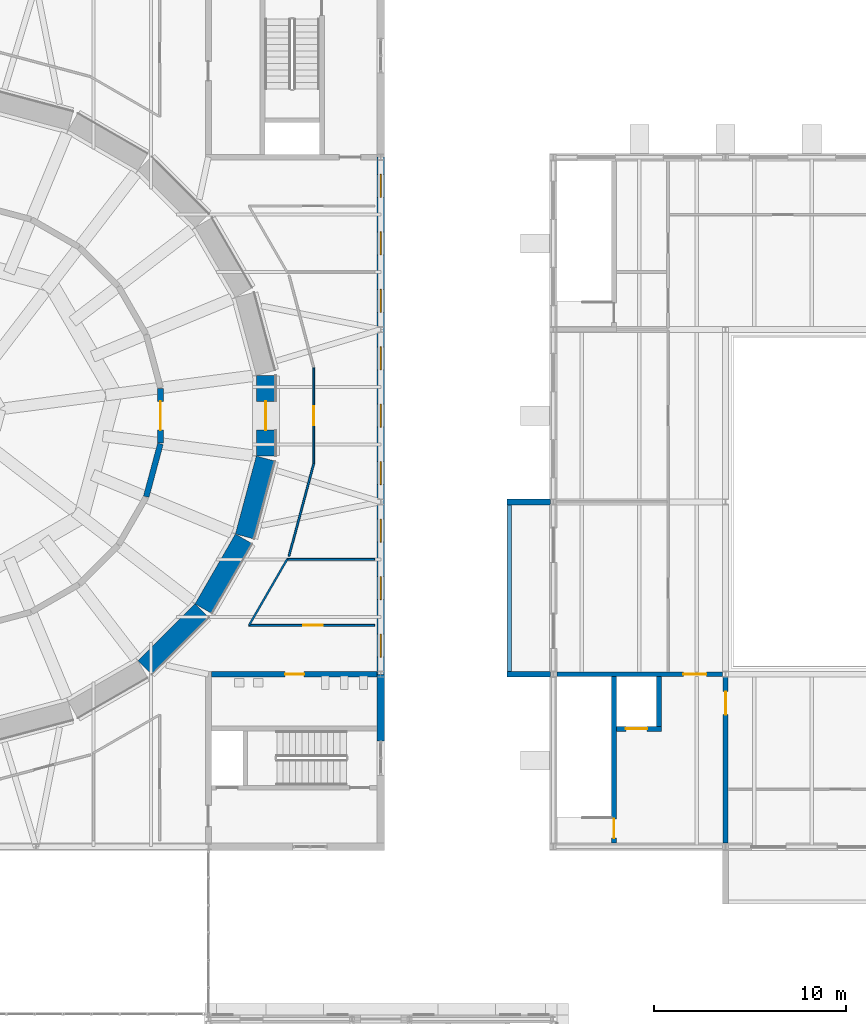
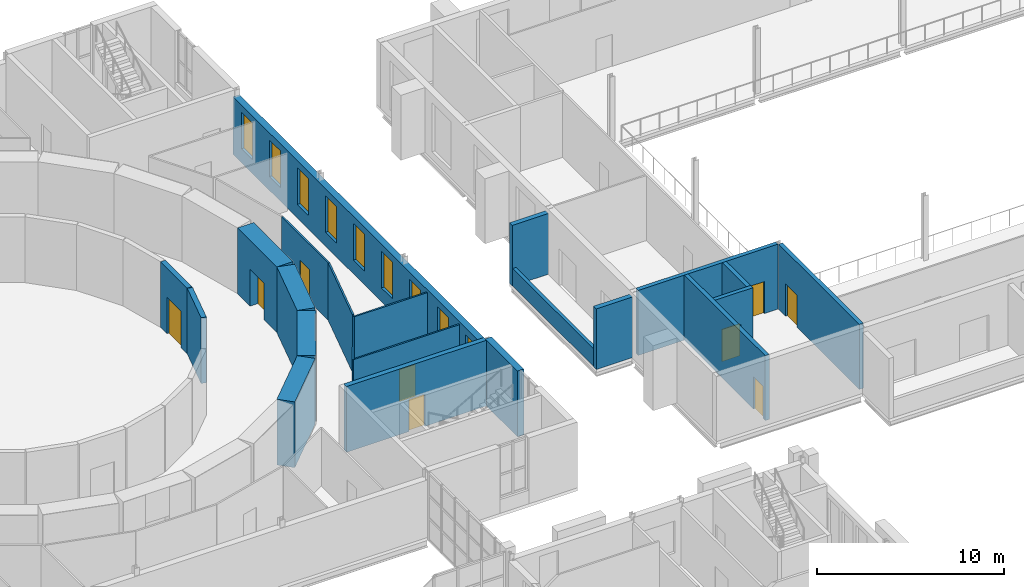
# One storey, part 86 of 131: 22 walls, 9 doors, 9 windows, 18 openings.
"""IFC4 building model written with IfcOpenShell, lengths in metres."""

from ifc_helpers import new_model, si_unit, direction, frame, frame_2d, origin, place, context, subcontext, project, spatial, rectangle, extrude, material, layer, layer_set, type_object, element, fill, save


model = new_model("IFC4")

# Units and contexts
model_context = context("Model", 3, precision=1e-05, world=origin(), true_north=direction((0.0, 1.0)))
body_context = subcontext(model_context, "Body", "Model", "MODEL_VIEW")
ifc_project = project(units=[si_unit("LENGTHUNIT", "METRE"), si_unit("AREAUNIT", "SQUARE_METRE"), si_unit("VOLUMEUNIT", "CUBIC_METRE"), si_unit("PLANEANGLEUNIT", "RADIAN"), si_unit("MASSUNIT", "GRAM", prefix="KILO")], contexts=[model_context])

# Site, building, storey
site_placement = place(None, origin())
site = spatial("IfcSite", under=ifc_project, at=site_placement, CompositionType="ELEMENT")
building_placement = place(site_placement, origin())
building = spatial("IfcBuilding", under=site, at=building_placement, Name="Golden Quay Civic Hall", CompositionType="ELEMENT")
storey_placement = place(building_placement, frame((0.0, 0.0, 9.89990234375)))
storey = spatial("IfcBuildingStorey", under=building, at=storey_placement, Name="L02", CompositionType="ELEMENT", Elevation=9.89990234375)

# Walls
ifc_material_1 = material(Name="Brick, dark clay facing", Category="masonry")
ifc_layer_1 = layer(ifc_material_1, 0.199951171875)
ifc_layer_set_1 = layer_set([ifc_layer_1], Name="Brick balustrade wall 200")
wall_type_1 = type_object("IfcWallType", Name="Brick balustrade wall 200", PredefinedType="STANDARD", material=ifc_layer_set_1)
wall_1_placement = place(storey_placement, frame((114.719970703125, 72.14990234375, 0.0), z_axis=(0.0, 0.0, 1.0), x_axis=(0.0, 1.0, 0.0)))
element("IfcWall", 1, at=wall_1_placement, inside=storey, type_object=wall_type_1, Name="Brick balustrade wall 200 L02 12", PredefinedType="STANDARD", context=body_context, shape_type="SweptSolid", body=[
    extrude(rectangle(XDim=8.7001953125, YDim=0.199951171875, at=frame_2d((4.35009765625, 0.0))), origin(), (0.0, 0.0, 1.0), 1.150146484375),
])
ifc_material_2 = material(Name="Brick, dark clay facing", Category="masonry")
ifc_layer_2 = layer(ifc_material_2, 0.300048828125)
ifc_layer_set_2 = layer_set([ifc_layer_2], Name="Brick loggia wall 300")
wall_type_2 = type_object("IfcWallType", Name="Brick loggia wall 300", PredefinedType="STANDARD", material=ifc_layer_set_2)
for number, where, z_axis, x_axis, name in (
    (2, (116.85009765625, 72.0, 0.0), (0.0, 0.0, 1.0), (-1.0, 0.0, 0.0), "Brick loggia wall 300 L02 20"),
    (3, (116.85009765625, 81.0, 0.0), (0.0, 0.0, 1.0), (-1.0, 0.0, 0.0), "Brick loggia wall 300 L02 21"),
):
    element("IfcWall", number, at=place(storey_placement, frame(where, z_axis=z_axis, x_axis=x_axis)), inside=storey, type_object=wall_type_2, Name=name, PredefinedType="STANDARD", context=body_context, shape_type="SweptSolid", body=[
        extrude(rectangle(XDim=2.25, YDim=0.300048828125, at=frame_2d((1.125, 0.0))), origin(), (0.0, 0.0, 1.0), 3.97021484375),
    ])

# Wall, opening, door
ifc_material_3 = material(Name="Concrete C40/50", Category="concrete")
ifc_layer_3 = layer(ifc_material_3, 0.25)
ifc_layer_set_3 = layer_set([ifc_layer_3], Name="Concrete core wall 250, Concrete C40/50")
wall_type_3 = type_object("IfcWallType", Name="Concrete core wall 250", PredefinedType="SHEAR", material=ifc_layer_set_3)
wall_2_placement = place(storey_placement, frame((120.175048828125, 63.199951171875, 0.0), z_axis=(0.0, 0.0, 1.0), x_axis=(0.0, 1.0, 0.0)))
wall_2 = element("IfcWall", 4, at=wall_2_placement, inside=storey, type_object=wall_type_3, Name="L02 core wall W stair east", PredefinedType="SHEAR", context=body_context, shape_type="SweptSolid", body=[
    extrude(rectangle(XDim=8.675048828125, YDim=0.25, at=frame_2d((4.33740234375, 0.0))), origin(), (0.0, 0.0, 1.0), 4.25),
])
opening_1_placement = place(wall_2_placement, frame((0.25, 0.0, 0.0)))
opening_1 = element("IfcOpeningElement", 5, at=opening_1_placement, cuts=wall_2, Name="Opening L02-D206", PredefinedType="OPENING", context=body_context, shape_type="SweptSolid", body=[
    extrude(rectangle(XDim=1.0, YDim=2.10009765625, at=frame_2d((0.5, 1.050048828125))), frame((0.0, 0.135009765625, 0.0), z_axis=(0.0, -1.0, 0.0), x_axis=(1.0, 0.0, 0.0)), (0.0, 0.0, 1.0), 0.27001953125),
])
ifc_material_4 = material(Name="Steel", Category="steel")
door_type_1 = type_object("IfcDoorType", Name="Steel fire door FD60 1000 x 2100", OperationType="SINGLE_SWING_LEFT", PredefinedType="DOOR", material=ifc_material_4)
door_1_placement = place(opening_1_placement, frame((1.0, 0.0, 0.0), z_axis=(0.0, 0.0, 1.0), x_axis=(-1.0, 0.0, 0.0)))
door_1 = element("IfcDoor", 6, at=door_1_placement, inside=storey, type_object=door_type_1, Name="Stair door LB-W", OperationType="SINGLE_SWING_RIGHT", OverallHeight=2.10009765625, OverallWidth=1.0, PredefinedType="DOOR", context=body_context, shape_type="SweptSolid", body=[
    extrude(rectangle(XDim=1.0, YDim=2.10009765625, at=frame_2d((0.5, 1.050048828125))), frame((0.0, 0.025146484375, 0.0), z_axis=(0.0, -1.0, 0.0), x_axis=(1.0, 0.0, 0.0)), (0.0, 0.0, 1.0), 0.050048828125),
])
fill(opening_1, door_1)

wall_3_placement = place(storey_placement, frame((126.0, 63.199951171875, 0.0), z_axis=(0.0, 0.0, 1.0), x_axis=(0.0, 1.0, 0.0)))
wall_3 = element("IfcWall", 7, at=wall_3_placement, inside=storey, type_object=wall_type_3, Name="L02 core wall W east boundary", PredefinedType="SHEAR", context=body_context, shape_type="SweptSolid", body=[
    extrude(rectangle(XDim=8.650146484375, YDim=0.25, at=frame_2d((4.3251953125, 0.0))), origin(), (0.0, 0.0, 1.0), 4.25),
])
opening_2_placement = place(wall_3_placement, frame((6.699951171875, 0.0, 0.0)))
opening_2 = element("IfcOpeningElement", 8, at=opening_2_placement, cuts=wall_3, Name="Opening L02-D209", PredefinedType="OPENING", context=body_context, shape_type="SweptSolid", body=[
    extrude(rectangle(XDim=1.199951171875, YDim=2.10009765625, at=frame_2d((0.60009765625, 1.050048828125))), frame((0.0, 0.135009765625, 0.0), z_axis=(0.0, -1.0, 0.0), x_axis=(1.0, 0.0, 0.0)), (0.0, 0.0, 1.0), 0.27001953125),
])
ifc_material_5 = material(Name="Steel", Category="steel")
door_type_2 = type_object("IfcDoorType", Name="Steel fire door FD60 1200 x 2100", OperationType="SINGLE_SWING_LEFT", PredefinedType="DOOR", material=ifc_material_5)
door_2_placement = place(opening_2_placement, frame((1.199951171875, 0.0, 0.0), z_axis=(0.0, 0.0, 1.0), x_axis=(-1.0, 0.0, 0.0)))
door_2 = element("IfcDoor", 9, at=door_2_placement, inside=storey, type_object=door_type_2, Name="Lobby door LB-W", OperationType="SINGLE_SWING_RIGHT", OverallHeight=2.10009765625, OverallWidth=1.199951171875, PredefinedType="DOOR", context=body_context, shape_type="SweptSolid", body=[
    extrude(rectangle(XDim=1.199951171875, YDim=2.10009765625, at=frame_2d((0.599853515625, 1.050048828125))), frame((0.0, 0.025146484375, 0.0), z_axis=(0.0, -1.0, 0.0), x_axis=(1.0, 0.0, 0.0)), (0.0, 0.0, 1.0), 0.050048828125),
])
fill(opening_2, door_2)

wall_4_placement = place(storey_placement, frame((117.199951171875, 72.0, 0.0), z_axis=(0.0, 0.0, 1.0), x_axis=(1.0, 0.0, 0.0)))
wall_4 = element("IfcWall", 10, at=wall_4_placement, inside=storey, type_object=wall_type_3, Name="L02 core wall W north boundary", PredefinedType="SHEAR", context=body_context, shape_type="SweptSolid", body=[
    extrude(rectangle(XDim=8.650146484375, YDim=0.25, at=frame_2d((4.3251953125, 0.0))), origin(), (0.0, 0.0, 1.0), 4.25),
])
opening_3_placement = place(wall_4_placement, frame((6.60009765625, 0.0, 0.0)))
opening_3 = element("IfcOpeningElement", 11, at=opening_3_placement, cuts=wall_4, Name="Opening L02-D208", PredefinedType="OPENING", context=body_context, shape_type="SweptSolid", body=[
    extrude(rectangle(XDim=1.199951171875, YDim=2.10009765625, at=frame_2d((0.60009765625, 1.050048828125))), frame((0.0, 0.135009765625, 0.0), z_axis=(0.0, -1.0, 0.0), x_axis=(1.0, 0.0, 0.0)), (0.0, 0.0, 1.0), 0.27001953125),
])
door_3_placement = place(opening_3_placement, origin())
door_3 = element("IfcDoor", 12, at=door_3_placement, inside=storey, type_object=door_type_2, Name="Lobby door LB-W", OperationType="SINGLE_SWING_LEFT", OverallHeight=2.10009765625, OverallWidth=1.199951171875, PredefinedType="DOOR", context=body_context, shape_type="SweptSolid", body=[
    extrude(rectangle(XDim=1.199951171875, YDim=2.10009765625, at=frame_2d((0.60009765625, 1.050048828125))), frame((0.0, 0.02490234375, 0.0), z_axis=(0.0, -1.0, 0.0), x_axis=(1.0, 0.0, 0.0)), (0.0, 0.0, 1.0), 0.050048828125),
])
fill(opening_3, door_3)

wall_5_placement = place(storey_placement, frame((120.300048828125, 69.14990234375, 0.0), z_axis=(0.0, 0.0, 1.0), x_axis=(1.0, 0.0, 0.0)))
wall_5 = element("IfcWall", 13, at=wall_5_placement, inside=storey, type_object=wall_type_3, Name="L02 core wall W lift south", PredefinedType="SHEAR", context=body_context, shape_type="SweptSolid", body=[
    extrude(rectangle(XDim=2.349853515625, YDim=0.25, at=frame_2d((1.1748046875, 0.0))), origin(), (0.0, 0.0, 1.0), 4.25),
])
opening_4_placement = place(wall_5_placement, frame((0.5, 0.0, 0.0)))
opening_4 = element("IfcOpeningElement", 14, at=opening_4_placement, cuts=wall_5, Name="Opening L02-D207", PredefinedType="OPENING", context=body_context, shape_type="SweptSolid", body=[
    extrude(rectangle(XDim=1.10009765625, YDim=2.10009765625, at=frame_2d((0.550048828125, 1.050048828125))), frame((0.0, 0.135009765625, 0.0), z_axis=(0.0, -1.0, 0.0), x_axis=(1.0, 0.0, 0.0)), (0.0, 0.0, 1.0), 0.27001953125),
])
ifc_material_6 = material(Name="Steel", Category="steel")
door_type_3 = type_object("IfcDoorType", Name="Lift landing door 1100 x 2100", OperationType="SLIDING_TO_LEFT", PredefinedType="DOOR", material=ifc_material_6)
door_4_placement = place(opening_4_placement, origin())
door_4 = element("IfcDoor", 15, at=door_4_placement, inside=storey, type_object=door_type_3, Name="Lift landing door", OperationType="SLIDING_TO_LEFT", OverallHeight=2.10009765625, OverallWidth=1.10009765625, PredefinedType="DOOR", context=body_context, shape_type="SweptSolid", body=[
    extrude(rectangle(XDim=1.10009765625, YDim=2.10009765625, at=frame_2d((0.550048828125, 1.050048828125))), frame((0.0, 0.02490234375, 0.0), z_axis=(0.0, -1.0, 0.0), x_axis=(1.0, 0.0, 0.0)), (0.0, 0.0, 1.0), 0.050048828125),
])
fill(opening_4, door_4)

# Walls
wall_6_placement = place(storey_placement, frame((122.52490234375, 69.27490234375, 0.0), z_axis=(0.0, 0.0, 1.0), x_axis=(0.0, 1.0, 0.0)))
element("IfcWall", 16, at=wall_6_placement, inside=storey, type_object=wall_type_3, Name="L02 core wall W lift east", PredefinedType="SHEAR", context=body_context, shape_type="SweptSolid", body=[
    extrude(rectangle(XDim=2.60009765625, YDim=0.25, at=frame_2d((1.300048828125, 0.0))), origin(), (0.0, 0.0, 1.0), 4.25),
])
ifc_material_7 = material(Name="Plasterboard on steel studs", Category="steel")
ifc_layer_4 = layer(ifc_material_7, 0.10009765625)
ifc_layer_set_4 = layer_set([ifc_layer_4], Name="Partition 100 stud")
wall_type_4 = type_object("IfcWallType", Name="Partition 100 stud", PredefinedType="PARTITIONING", material=ifc_layer_set_4)
wall_7_placement = place(storey_placement, frame((107.679931640625, 78.0, 0.0), z_axis=(0.0, 0.0, 1.0), x_axis=(-1.0, 0.0, 0.0)))
element("IfcWall", 17, at=wall_7_placement, inside=storey, type_object=wall_type_4, Name="Partition 28", PredefinedType="PARTITIONING", context=body_context, shape_type="SweptSolid", body=[
    extrude(rectangle(XDim=4.57080078125, YDim=0.10009765625, at=frame_2d((2.285400390625, 0.0))), origin(), (0.0, 0.0, 1.0), 3.760009765625),
])
ifc_material_8 = material(Name="Gypsum board on steel stud", Category="steel")
ifc_layer_5 = layer(ifc_material_8, 0.10009765625)
ifc_layer_set_5 = layer_set([ifc_layer_5], Name="Partition 100 stud fire EI 60")
wall_type_5 = type_object("IfcWallType", Name="Partition 100 stud fire EI 60", PredefinedType="PARTITIONING", material=ifc_layer_set_5)
wall_8_placement = place(storey_placement, frame((103.12060546875, 78.02001953125, 0.0), z_axis=(0.0, 0.0, 1.0), x_axis=(-0.500005512359, -0.866022221199, 0.0)))
element("IfcWall", 18, at=wall_8_placement, inside=storey, type_object=wall_type_5, Name="Partition 29", PredefinedType="PARTITIONING", context=body_context, shape_type="SweptSolid", body=[
    extrude(rectangle(XDim=4.0068359375, YDim=0.10009765625, at=frame_2d((2.00341796875, 0.0))), origin(), (0.0, 0.0, 1.0), 3.760009765625),
])

# Wall, opening, door
wall_9_placement = place(storey_placement, frame((101.1171875, 74.550048828125, 0.0), z_axis=(0.0, 0.0, 1.0), x_axis=(1.0, 0.0, 0.0)))
wall_9 = element("IfcWall", 19, at=wall_9_placement, inside=storey, type_object=wall_type_5, Name="Partition 30", PredefinedType="PARTITIONING", context=body_context, shape_type="SweptSolid", body=[
    extrude(rectangle(XDim=6.562744140625, YDim=0.10009765625, at=frame_2d((3.28125, 0.0))), origin(), (0.0, 0.0, 1.0), 3.760009765625),
])
opening_5_placement = place(wall_9_placement, frame((2.84130859375, 0.0, 0.0)))
opening_5 = element("IfcOpeningElement", 20, at=opening_5_placement, cuts=wall_9, Name="Opening L02-D189", PredefinedType="OPENING", context=body_context, shape_type="SweptSolid", body=[
    extrude(rectangle(XDim=1.0, YDim=2.10009765625, at=frame_2d((0.5, 1.050048828125))), frame((0.0, 0.06005859375, 0.0), z_axis=(0.0, -1.0, 0.0), x_axis=(1.0, 0.0, 0.0)), (0.0, 0.0, 1.0), 0.1201171875),
])
ifc_material_9 = material(Name="Timber", Category="wood")
door_type_4 = type_object("IfcDoorType", Name="Timber fire door FD30S 1000 x 2100", OperationType="SINGLE_SWING_LEFT", PredefinedType="DOOR", material=ifc_material_9)
door_5_placement = place(opening_5_placement, origin())
door_5 = element("IfcDoor", 21, at=door_5_placement, inside=storey, type_object=door_type_4, Name="Door Press Gallery Office", OperationType="SINGLE_SWING_LEFT", OverallHeight=2.10009765625, OverallWidth=1.0, PredefinedType="DOOR", context=body_context, shape_type="SweptSolid", body=[
    extrude(rectangle(XDim=1.0, YDim=2.10009765625, at=frame_2d((0.5, 1.050048828125))), frame((0.0, 0.02490234375, 0.0), z_axis=(0.0, -1.0, 0.0), x_axis=(1.0, 0.0, 0.0)), (0.0, 0.0, 1.0), 0.050048828125),
])
fill(opening_5, door_5)

wall_10_placement = place(storey_placement, frame((104.5, 88.00146484375, 0.0), z_axis=(0.0, 0.0, 1.0), x_axis=(0.0, -1.0, 0.0)))
wall_10 = element("IfcWall", 22, at=wall_10_placement, inside=storey, type_object=wall_type_5, Name="Partition 33", PredefinedType="PARTITIONING", context=body_context, shape_type="SweptSolid", body=[
    extrude(rectangle(XDim=5.0029296875, YDim=0.10009765625, at=frame_2d((2.50146484375, 0.0))), origin(), (0.0, 0.0, 1.0), 3.760009765625),
])
opening_6_placement = place(wall_10_placement, frame((2.00146484375, 0.0, 0.0)))
opening_6 = element("IfcOpeningElement", 23, at=opening_6_placement, cuts=wall_10, Name="Opening L02-D190", PredefinedType="OPENING", context=body_context, shape_type="SweptSolid", body=[
    extrude(rectangle(XDim=1.0, YDim=2.10009765625, at=frame_2d((0.5, 1.050048828125))), frame((0.0, 0.06005859375, 0.0), z_axis=(0.0, -1.0, 0.0), x_axis=(1.0, 0.0, 0.0)), (0.0, 0.0, 1.0), 0.1201171875),
])
door_6_placement = place(opening_6_placement, origin())
door_6 = element("IfcDoor", 24, at=door_6_placement, inside=storey, type_object=door_type_4, Name="Door Chamber Clerks' Office 5", OperationType="SINGLE_SWING_LEFT", OverallHeight=2.10009765625, OverallWidth=1.0, PredefinedType="DOOR", context=body_context, shape_type="SweptSolid", body=[
    extrude(rectangle(XDim=1.0, YDim=2.10009765625, at=frame_2d((0.5, 1.050048828125))), frame((0.0, 0.02490234375, 0.0), z_axis=(0.0, -1.0, 0.0), x_axis=(1.0, 0.0, 0.0)), (0.0, 0.0, 1.0), 0.050048828125),
])
fill(opening_6, door_6)

# Walls
wall_11_placement = place(storey_placement, frame((104.5, 82.99853515625, 0.0), z_axis=(0.0, 0.0, 1.0), x_axis=(-0.258840974822, -0.965919949972, 0.0)))
element("IfcWall", 25, at=wall_11_placement, inside=storey, type_object=wall_type_5, Name="Partition 34", PredefinedType="PARTITIONING", context=body_context, shape_type="SweptSolid", body=[
    extrude(rectangle(XDim=5.002685546875, YDim=0.10009765625, at=frame_2d((2.50146484375, 0.0))), origin(), (0.0, 0.0, 1.0), 3.760009765625),
])
ifc_material_10 = material(Name="Concrete C40/50", Category="concrete")
ifc_layer_6 = layer(ifc_material_10, 0.300048828125)
ifc_layer_set_6 = layer_set([ifc_layer_6], Name="Reinforced concrete chamber wall 300, Concrete C40/50")
wall_type_6 = type_object("IfcWallType", Name="Reinforced concrete chamber wall 300", PredefinedType="SHEAR", material=ifc_layer_set_6)
wall_12_placement = place(storey_placement, frame((95.755615234375, 81.273193359375, 0.0), z_axis=(0.0, 0.0, 1.0), x_axis=(0.258768834483, 0.965939278785, 0.0)))
element("IfcWall", 26, at=wall_12_placement, inside=storey, type_object=wall_type_6, Name="Chamber wall 23", PredefinedType="SHEAR", context=body_context, shape_type="SweptSolid", body=[
    extrude(rectangle(XDim=2.85693359375, YDim=0.300048828125, at=frame_2d((1.428466796875, 0.0))), origin(), (0.0, 0.0, 1.0), 4.300048828125),
])

# Wall, opening, door
wall_13_placement = place(storey_placement, frame((96.5, 84.071533203125, 0.0), z_axis=(0.0, 0.0, 1.0), x_axis=(0.0, 1.0, 0.0)))
wall_13 = element("IfcWall", 27, at=wall_13_placement, inside=storey, type_object=wall_type_6, Name="Chamber wall 24", PredefinedType="SHEAR", context=body_context, shape_type="SweptSolid", body=[
    extrude(rectangle(XDim=2.85693359375, YDim=0.300048828125, at=frame_2d((1.428466796875, 0.0))), origin(), (0.0, 0.0, 1.0), 4.300048828125),
])
opening_7_placement = place(wall_13_placement, frame((0.678466796875, 0.0, 0.0)))
opening_7 = element("IfcOpeningElement", 28, at=opening_7_placement, cuts=wall_13, Name="Opening L02-D180", PredefinedType="OPENING", context=body_context, shape_type="SweptSolid", body=[
    extrude(rectangle(XDim=1.5, YDim=2.39990234375, at=frame_2d((0.75, 1.199951171875))), frame((0.0, 0.159912109375, 0.0), z_axis=(0.0, -1.0, 0.0), x_axis=(1.0, 0.0, 0.0)), (0.0, 0.0, 1.0), 0.320068359375),
])
ifc_material_11 = material(Name="Steel", Category="steel")
door_type_5 = type_object("IfcDoorType", Name="Steel double fire door FD60 1500 x 2400", OperationType="DOUBLE_DOOR_SINGLE_SWING", PredefinedType="DOOR", material=ifc_material_11)
door_7_placement = place(opening_7_placement, origin())
door_7 = element("IfcDoor", 29, at=door_7_placement, inside=storey, type_object=door_type_5, Name="Chamber door", OperationType="DOUBLE_DOOR_SINGLE_SWING", OverallHeight=2.39990234375, OverallWidth=1.5, PredefinedType="DOOR", context=body_context, shape_type="SweptSolid", body=[
    extrude(rectangle(XDim=1.5, YDim=2.39990234375, at=frame_2d((0.75, 1.199951171875))), frame((0.0, 0.02490234375, 0.0), z_axis=(0.0, -1.0, 0.0), x_axis=(1.0, 0.0, 0.0)), (0.0, 0.0, 1.0), 0.050048828125),
])
fill(opening_7, door_7)

ifc_material_12 = material(Name="Concrete C40/50", Category="concrete")
ifc_layer_7 = layer(ifc_material_12, 0.300048828125)
ifc_layer_set_7 = layer_set([ifc_layer_7], Name="Reinforced concrete core wall 300, Concrete C40/50")
wall_type_7 = type_object("IfcWallType", Name="Reinforced concrete core wall 300", PredefinedType="SHEAR", material=ifc_layer_set_7)
wall_14_placement = place(storey_placement, frame((107.800048828125, 72.0, 0.0), z_axis=(0.0, 0.0, 1.0), x_axis=(-1.0, 0.0, 0.0)))
wall_14 = element("IfcWall", 30, at=wall_14_placement, inside=storey, type_object=wall_type_7, Name="Core wall SE B", PredefinedType="SHEAR", context=body_context, shape_type="SweptSolid", body=[
    extrude(rectangle(XDim=8.650146484375, YDim=0.300048828125, at=frame_2d((4.3251953125, 0.0))), origin(), (0.0, 0.0, 1.0), 4.300048828125),
])
opening_8_placement = place(wall_14_placement, frame((3.800048828125, 0.0, 0.0)))
opening_8 = element("IfcOpeningElement", 31, at=opening_8_placement, cuts=wall_14, Name="Opening L02-D169", PredefinedType="OPENING", context=body_context, shape_type="SweptSolid", body=[
    extrude(rectangle(XDim=1.0, YDim=2.10009765625, at=frame_2d((0.5, 1.050048828125))), frame((0.0, 0.159912109375, 0.0), z_axis=(0.0, -1.0, 0.0), x_axis=(1.0, 0.0, 0.0)), (0.0, 0.0, 1.0), 0.320068359375),
])
door_8_placement = place(opening_8_placement, origin())
door_8 = element("IfcDoor", 32, at=door_8_placement, inside=storey, type_object=door_type_1, Name="Service door SE", OperationType="SINGLE_SWING_LEFT", OverallHeight=2.10009765625, OverallWidth=1.0, PredefinedType="DOOR", context=body_context, shape_type="SweptSolid", body=[
    extrude(rectangle(XDim=1.0, YDim=2.10009765625, at=frame_2d((0.5, 1.050048828125))), frame((0.0, 0.02490234375, 0.0), z_axis=(0.0, -1.0, 0.0), x_axis=(1.0, 0.0, 0.0)), (0.0, 0.0, 1.0), 0.050048828125),
])
fill(opening_8, door_8)

# Walls
ifc_material_13 = material(Name="Concrete C40/50", Category="concrete")
ifc_layer_8 = layer(ifc_material_13, 1.0)
ifc_layer_set_8 = layer_set([ifc_layer_8], Name="Reinforced concrete drum wall 1000, Concrete C40/50")
wall_type_8 = type_object("IfcWallType", Name="Reinforced concrete drum wall 1000", PredefinedType="SHEAR", material=ifc_layer_set_8)
for number, where, z_axis, x_axis, name in (
    (33, (95.677734375, 72.34326171875, 0.0), (0.0, 0.0, 1.0), (0.707106781187, 0.707106781187, 0.0), "Council drum wall 21"),
    (34, (98.736083984375, 75.42578125, 0.0), (0.0, 0.0, 1.0), (0.500003371769, 0.866023457084, 0.0), "Council drum wall 22"),
    (35, (100.892578125, 79.19482421875, 0.0), (0.0, 0.0, 1.0), (0.258809467323, 0.965928392597, 0.0), "Council drum wall 23"),
):
    element("IfcWall", number, at=place(storey_placement, frame(where, z_axis=z_axis, x_axis=x_axis)), inside=storey, type_object=wall_type_8, Name=name, PredefinedType="SHEAR", context=body_context, shape_type="SweptSolid", body=[
        extrude(rectangle(XDim=4.212890625, YDim=1.0, at=frame_2d((2.1064453125, 0.0))), origin(), (0.0, 0.0, 1.0), 4.300048828125),
    ])

# Wall, opening, door
wall_15_placement = place(storey_placement, frame((102.0, 83.3935546875, 0.0), z_axis=(0.0, 0.0, 1.0), x_axis=(0.0, 1.0, 0.0)))
wall_15 = element("IfcWall", 36, at=wall_15_placement, inside=storey, type_object=wall_type_8, Name="Council drum wall 24", PredefinedType="SHEAR", context=body_context, shape_type="SweptSolid", body=[
    extrude(rectangle(XDim=4.212890625, YDim=1.0, at=frame_2d((2.1064453125, 0.0))), origin(), (0.0, 0.0, 1.0), 4.300048828125),
])
opening_9_placement = place(wall_15_placement, frame((1.3564453125, 0.0, 0.0)))
opening_9 = element("IfcOpeningElement", 37, at=opening_9_placement, cuts=wall_15, Name="Opening L02-D011", PredefinedType="OPENING", context=body_context, shape_type="SweptSolid", body=[
    extrude(rectangle(XDim=1.5, YDim=2.39990234375, at=frame_2d((0.75, 1.199951171875))), frame((0.0, 0.510009765625, 0.0), z_axis=(0.0, -1.0, 0.0), x_axis=(1.0, 0.0, 0.0)), (0.0, 0.0, 1.0), 1.02001953125),
])
ifc_material_14 = material(Name="Timber", Category="wood")
door_type_6 = type_object("IfcDoorType", Name="Timber chamber door 1500 x 2400", OperationType="DOUBLE_DOOR_SINGLE_SWING", PredefinedType="DOOR", material=ifc_material_14)
door_9_placement = place(opening_9_placement, origin())
door_9 = element("IfcDoor", 38, at=door_9_placement, inside=storey, type_object=door_type_6, Name="Chamber lobby door", OperationType="DOUBLE_DOOR_SINGLE_SWING", OverallHeight=2.39990234375, OverallWidth=1.5, PredefinedType="DOOR", context=body_context, shape_type="SweptSolid", body=[
    extrude(rectangle(XDim=1.5, YDim=2.39990234375, at=frame_2d((0.75, 1.199951171875))), frame((0.0, 0.02490234375, 0.0), z_axis=(0.0, -1.0, 0.0), x_axis=(1.0, 0.0, 0.0)), (0.0, 0.0, 1.0), 0.050048828125),
])
fill(opening_9, door_9)

# Wall, openings, windows
ifc_material_15 = material(Name="Brick masonry with render", Category="masonry")
ifc_layer_9 = layer(ifc_material_15, 0.39990234375)
ifc_layer_set_9 = layer_set([ifc_layer_9], Name="Rendered brick external wall 400")
wall_type_9 = type_object("IfcWallType", Name="Rendered brick external wall 400", PredefinedType="STANDARD", material=ifc_layer_set_9)
wall_16_placement = place(storey_placement, frame((108.0, 72.0, 0.0), z_axis=(0.0, 0.0, 1.0), x_axis=(0.0, 1.0, 0.0)))
wall_16 = element("IfcWall", 39, at=wall_16_placement, inside=storey, type_object=wall_type_9, Name="Base wall E 72", PredefinedType="STANDARD", context=body_context, shape_type="SweptSolid", body=[
    extrude(rectangle(XDim=27.0, YDim=0.39990234375, at=frame_2d((13.5, 0.0))), origin(), (0.0, 0.0, 1.0), 3.760009765625),
])
opening_10_placement = place(wall_16_placement, frame((0.89990234375, 0.0, 0.89990234375)))
opening_10 = element("IfcOpeningElement", 40, at=opening_10_placement, cuts=wall_16, Name="Opening WN7", PredefinedType="OPENING", context=body_context, shape_type="SweptSolid", body=[
    extrude(rectangle(XDim=1.199951171875, YDim=2.39990234375, at=frame_2d((0.60009765625, 1.199951171875))), frame((0.0, 0.2099609375, 0.0), z_axis=(0.0, -1.0, 0.0), x_axis=(1.0, 0.0, 0.0)), (0.0, 0.0, 1.0), 0.419921875),
])
opening_11_placement = place(wall_16_placement, frame((3.89990234375, 0.0, 0.89990234375)))
opening_11 = element("IfcOpeningElement", 41, at=opening_11_placement, cuts=wall_16, Name="Opening WN7", PredefinedType="OPENING", context=body_context, shape_type="SweptSolid", body=[
    extrude(rectangle(XDim=1.199951171875, YDim=2.39990234375, at=frame_2d((0.60009765625, 1.199951171875))), frame((0.0, 0.2099609375, 0.0), z_axis=(0.0, -1.0, 0.0), x_axis=(1.0, 0.0, 0.0)), (0.0, 0.0, 1.0), 0.419921875),
])
opening_12_placement = place(wall_16_placement, frame((6.89990234375, 0.0, 0.89990234375)))
opening_12 = element("IfcOpeningElement", 42, at=opening_12_placement, cuts=wall_16, Name="Opening WN7", PredefinedType="OPENING", context=body_context, shape_type="SweptSolid", body=[
    extrude(rectangle(XDim=1.199951171875, YDim=2.39990234375, at=frame_2d((0.60009765625, 1.199951171875))), frame((0.0, 0.2099609375, 0.0), z_axis=(0.0, -1.0, 0.0), x_axis=(1.0, 0.0, 0.0)), (0.0, 0.0, 1.0), 0.419921875),
])
opening_13_placement = place(wall_16_placement, frame((9.89990234375, 0.0, 0.89990234375)))
opening_13 = element("IfcOpeningElement", 43, at=opening_13_placement, cuts=wall_16, Name="Opening WN7", PredefinedType="OPENING", context=body_context, shape_type="SweptSolid", body=[
    extrude(rectangle(XDim=1.199951171875, YDim=2.39990234375, at=frame_2d((0.60009765625, 1.199951171875))), frame((0.0, 0.2099609375, 0.0), z_axis=(0.0, -1.0, 0.0), x_axis=(1.0, 0.0, 0.0)), (0.0, 0.0, 1.0), 0.419921875),
])
opening_14_placement = place(wall_16_placement, frame((12.89990234375, 0.0, 0.89990234375)))
opening_14 = element("IfcOpeningElement", 44, at=opening_14_placement, cuts=wall_16, Name="Opening WN7", PredefinedType="OPENING", context=body_context, shape_type="SweptSolid", body=[
    extrude(rectangle(XDim=1.199951171875, YDim=2.39990234375, at=frame_2d((0.60009765625, 1.199951171875))), frame((0.0, 0.2099609375, 0.0), z_axis=(0.0, -1.0, 0.0), x_axis=(1.0, 0.0, 0.0)), (0.0, 0.0, 1.0), 0.419921875),
])
opening_15_placement = place(wall_16_placement, frame((15.89990234375, 0.0, 0.89990234375)))
opening_15 = element("IfcOpeningElement", 45, at=opening_15_placement, cuts=wall_16, Name="Opening WN7", PredefinedType="OPENING", context=body_context, shape_type="SweptSolid", body=[
    extrude(rectangle(XDim=1.199951171875, YDim=2.39990234375, at=frame_2d((0.60009765625, 1.199951171875))), frame((0.0, 0.2099609375, 0.0), z_axis=(0.0, -1.0, 0.0), x_axis=(1.0, 0.0, 0.0)), (0.0, 0.0, 1.0), 0.419921875),
])
opening_16_placement = place(wall_16_placement, frame((18.89990234375, 0.0, 0.89990234375)))
opening_16 = element("IfcOpeningElement", 46, at=opening_16_placement, cuts=wall_16, Name="Opening WN7", PredefinedType="OPENING", context=body_context, shape_type="SweptSolid", body=[
    extrude(rectangle(XDim=1.199951171875, YDim=2.39990234375, at=frame_2d((0.60009765625, 1.199951171875))), frame((0.0, 0.2099609375, 0.0), z_axis=(0.0, -1.0, 0.0), x_axis=(1.0, 0.0, 0.0)), (0.0, 0.0, 1.0), 0.419921875),
])
opening_17_placement = place(wall_16_placement, frame((21.89990234375, 0.0, 0.89990234375)))
opening_17 = element("IfcOpeningElement", 47, at=opening_17_placement, cuts=wall_16, Name="Opening WN7", PredefinedType="OPENING", context=body_context, shape_type="SweptSolid", body=[
    extrude(rectangle(XDim=1.199951171875, YDim=2.39990234375, at=frame_2d((0.60009765625, 1.199951171875))), frame((0.0, 0.2099609375, 0.0), z_axis=(0.0, -1.0, 0.0), x_axis=(1.0, 0.0, 0.0)), (0.0, 0.0, 1.0), 0.419921875),
])
opening_18_placement = place(wall_16_placement, frame((24.89990234375, 0.0, 0.89990234375)))
opening_18 = element("IfcOpeningElement", 48, at=opening_18_placement, cuts=wall_16, Name="Opening WN7", PredefinedType="OPENING", context=body_context, shape_type="SweptSolid", body=[
    extrude(rectangle(XDim=1.199951171875, YDim=2.39990234375, at=frame_2d((0.60009765625, 1.199951171875))), frame((0.0, 0.2099609375, 0.0), z_axis=(0.0, -1.0, 0.0), x_axis=(1.0, 0.0, 0.0)), (0.0, 0.0, 1.0), 0.419921875),
])
ifc_material_16 = material(Name="Aluminium frame, double glazed", Category="aluminium")
window_type = type_object("IfcWindowType", Name="Window 1200 x 2400", PartitioningType="SINGLE_PANEL", PredefinedType="WINDOW", material=ifc_material_16)
window_1_placement = place(opening_10_placement, origin())
window_1 = element("IfcWindow", 49, at=window_1_placement, inside=storey, type_object=window_type, Name="Window E1", OverallHeight=2.39990234375, OverallWidth=1.199951171875, PartitioningType="SINGLE_PANEL", PredefinedType="WINDOW", context=body_context, shape_type="SweptSolid", body=[
    extrude(rectangle(XDim=1.199951171875, YDim=2.39990234375, at=frame_2d((0.60009765625, 1.199951171875))), frame((0.0, 0.030029296875, 0.0), z_axis=(0.0, -1.0, 0.0), x_axis=(1.0, 0.0, 0.0)), (0.0, 0.0, 1.0), 0.06005859375),
])
fill(opening_10, window_1)
window_2_placement = place(opening_11_placement, origin())
window_2 = element("IfcWindow", 50, at=window_2_placement, inside=storey, type_object=window_type, Name="Window E2", OverallHeight=2.39990234375, OverallWidth=1.199951171875, PartitioningType="SINGLE_PANEL", PredefinedType="WINDOW", context=body_context, shape_type="SweptSolid", body=[
    extrude(rectangle(XDim=1.199951171875, YDim=2.39990234375, at=frame_2d((0.60009765625, 1.199951171875))), frame((0.0, 0.030029296875, 0.0), z_axis=(0.0, -1.0, 0.0), x_axis=(1.0, 0.0, 0.0)), (0.0, 0.0, 1.0), 0.06005859375),
])
fill(opening_11, window_2)
window_3_placement = place(opening_12_placement, origin())
window_3 = element("IfcWindow", 51, at=window_3_placement, inside=storey, type_object=window_type, Name="Window E3", OverallHeight=2.39990234375, OverallWidth=1.199951171875, PartitioningType="SINGLE_PANEL", PredefinedType="WINDOW", context=body_context, shape_type="SweptSolid", body=[
    extrude(rectangle(XDim=1.199951171875, YDim=2.39990234375, at=frame_2d((0.60009765625, 1.199951171875))), frame((0.0, 0.030029296875, 0.0), z_axis=(0.0, -1.0, 0.0), x_axis=(1.0, 0.0, 0.0)), (0.0, 0.0, 1.0), 0.06005859375),
])
fill(opening_12, window_3)
window_4_placement = place(opening_13_placement, origin())
window_4 = element("IfcWindow", 52, at=window_4_placement, inside=storey, type_object=window_type, Name="Window E4", OverallHeight=2.39990234375, OverallWidth=1.199951171875, PartitioningType="SINGLE_PANEL", PredefinedType="WINDOW", context=body_context, shape_type="SweptSolid", body=[
    extrude(rectangle(XDim=1.199951171875, YDim=2.39990234375, at=frame_2d((0.60009765625, 1.199951171875))), frame((0.0, 0.030029296875, 0.0), z_axis=(0.0, -1.0, 0.0), x_axis=(1.0, 0.0, 0.0)), (0.0, 0.0, 1.0), 0.06005859375),
])
fill(opening_13, window_4)
window_5_placement = place(opening_14_placement, origin())
window_5 = element("IfcWindow", 53, at=window_5_placement, inside=storey, type_object=window_type, Name="Window E5", OverallHeight=2.39990234375, OverallWidth=1.199951171875, PartitioningType="SINGLE_PANEL", PredefinedType="WINDOW", context=body_context, shape_type="SweptSolid", body=[
    extrude(rectangle(XDim=1.199951171875, YDim=2.39990234375, at=frame_2d((0.60009765625, 1.199951171875))), frame((0.0, 0.030029296875, 0.0), z_axis=(0.0, -1.0, 0.0), x_axis=(1.0, 0.0, 0.0)), (0.0, 0.0, 1.0), 0.06005859375),
])
fill(opening_14, window_5)
window_6_placement = place(opening_15_placement, origin())
window_6 = element("IfcWindow", 54, at=window_6_placement, inside=storey, type_object=window_type, Name="Window E6", OverallHeight=2.39990234375, OverallWidth=1.199951171875, PartitioningType="SINGLE_PANEL", PredefinedType="WINDOW", context=body_context, shape_type="SweptSolid", body=[
    extrude(rectangle(XDim=1.199951171875, YDim=2.39990234375, at=frame_2d((0.60009765625, 1.199951171875))), frame((0.0, 0.030029296875, 0.0), z_axis=(0.0, -1.0, 0.0), x_axis=(1.0, 0.0, 0.0)), (0.0, 0.0, 1.0), 0.06005859375),
])
fill(opening_15, window_6)
window_7_placement = place(opening_16_placement, origin())
window_7 = element("IfcWindow", 55, at=window_7_placement, inside=storey, type_object=window_type, Name="Window E7", OverallHeight=2.39990234375, OverallWidth=1.199951171875, PartitioningType="SINGLE_PANEL", PredefinedType="WINDOW", context=body_context, shape_type="SweptSolid", body=[
    extrude(rectangle(XDim=1.199951171875, YDim=2.39990234375, at=frame_2d((0.60009765625, 1.199951171875))), frame((0.0, 0.030029296875, 0.0), z_axis=(0.0, -1.0, 0.0), x_axis=(1.0, 0.0, 0.0)), (0.0, 0.0, 1.0), 0.06005859375),
])
fill(opening_16, window_7)
window_8_placement = place(opening_17_placement, origin())
window_8 = element("IfcWindow", 56, at=window_8_placement, inside=storey, type_object=window_type, Name="Window E8", OverallHeight=2.39990234375, OverallWidth=1.199951171875, PartitioningType="SINGLE_PANEL", PredefinedType="WINDOW", context=body_context, shape_type="SweptSolid", body=[
    extrude(rectangle(XDim=1.199951171875, YDim=2.39990234375, at=frame_2d((0.60009765625, 1.199951171875))), frame((0.0, 0.030029296875, 0.0), z_axis=(0.0, -1.0, 0.0), x_axis=(1.0, 0.0, 0.0)), (0.0, 0.0, 1.0), 0.06005859375),
])
fill(opening_17, window_8)
window_9_placement = place(opening_18_placement, origin())
window_9 = element("IfcWindow", 57, at=window_9_placement, inside=storey, type_object=window_type, Name="Window E9", OverallHeight=2.39990234375, OverallWidth=1.199951171875, PartitioningType="SINGLE_PANEL", PredefinedType="WINDOW", context=body_context, shape_type="SweptSolid", body=[
    extrude(rectangle(XDim=1.199951171875, YDim=2.39990234375, at=frame_2d((0.60009765625, 1.199951171875))), frame((0.0, 0.030029296875, 0.0), z_axis=(0.0, -1.0, 0.0), x_axis=(1.0, 0.0, 0.0)), (0.0, 0.0, 1.0), 0.06005859375),
])
fill(opening_18, window_9)

# Wall
ifc_material_17 = material(Name="Brick masonry with render", Category="masonry")
ifc_layer_10 = layer(ifc_material_17, 0.39990234375)
ifc_layer_set_10 = layer_set([ifc_layer_10], Name="Rendered brick external wall 400 fire EI 120")
wall_type_10 = type_object("IfcWallType", Name="Rendered brick external wall 400 fire EI 120", PredefinedType="STANDARD", material=ifc_layer_set_10)
wall_17_placement = place(storey_placement, frame((108.0, 68.52490234375, 0.0), z_axis=(0.0, 0.0, 1.0), x_axis=(0.0, 1.0, 0.0)))
element("IfcWall", 58, at=wall_17_placement, inside=storey, type_object=wall_type_10, Name="Base wall E 63 (beyond the bay)", PredefinedType="STANDARD", context=body_context, shape_type="SweptSolid", body=[
    extrude(rectangle(XDim=3.47509765625, YDim=0.39990234375, at=frame_2d((1.737548828125, 0.0))), origin(), (0.0, 0.0, 1.0), 4.300048828125),
])

save(model, "model.ifc")
